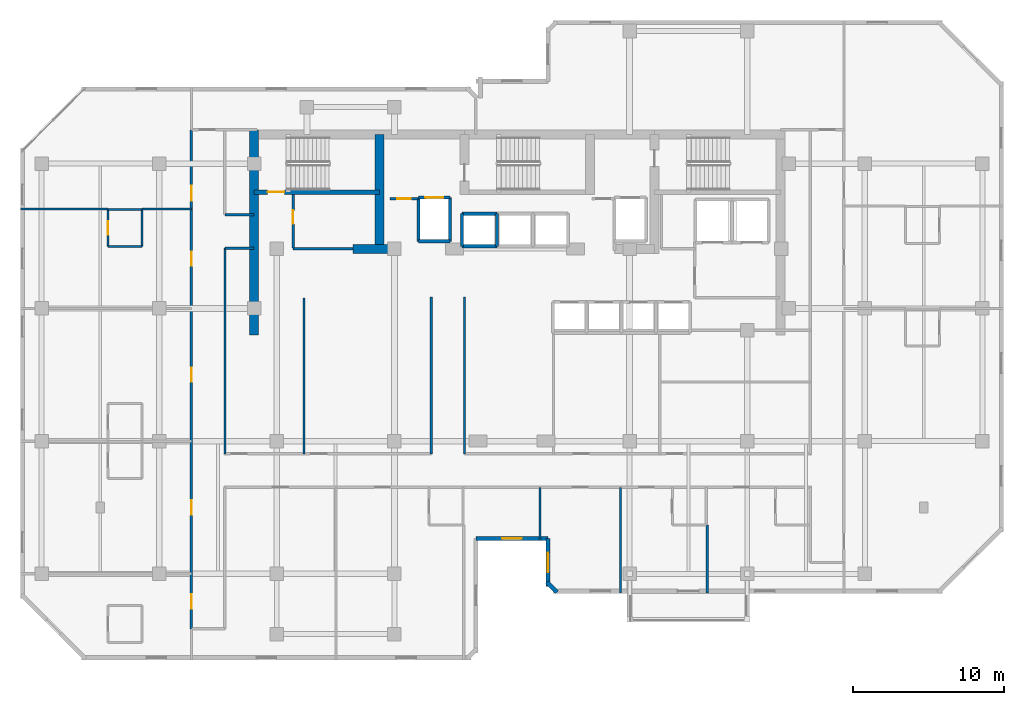
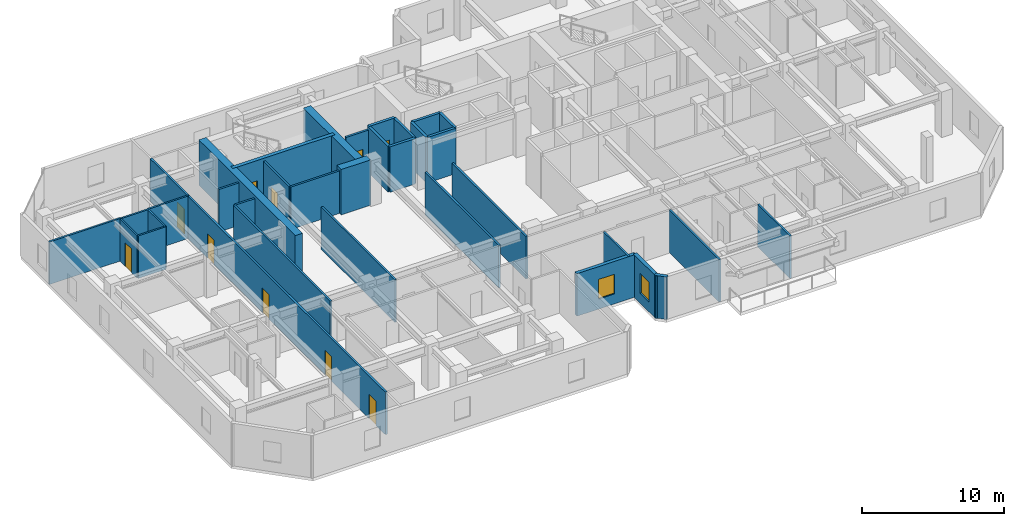
# One storey, part 5 of 11: 34 walls, 10 doors, 2 windows, 12 openings.
"""IFC4 building model written with IfcOpenShell, lengths in metres."""

from ifc_helpers import new_model, si_unit, direction, frame, frame_2d, origin, place, context, subcontext, project, spatial, rectangle, extrude, material, layer, layer_set, type_object, element, fill, save


model = new_model("IFC4")

# Units and contexts
model_context = context("Model", 3, precision=1e-05, world=origin(), true_north=direction((0.0, 1.0)))
body_context = subcontext(model_context, "Body", "Model", "MODEL_VIEW")
ifc_project = project(units=[si_unit("LENGTHUNIT", "METRE"), si_unit("AREAUNIT", "SQUARE_METRE"), si_unit("VOLUMEUNIT", "CUBIC_METRE"), si_unit("PLANEANGLEUNIT", "RADIAN"), si_unit("MASSUNIT", "GRAM", prefix="KILO")], contexts=[model_context])

# Site, building, storey
site_placement = place(None, origin())
site = spatial("IfcSite", under=ifc_project, at=site_placement, CompositionType="ELEMENT")
building_placement = place(site_placement, origin())
building = spatial("IfcBuilding", under=site, at=building_placement, Name="Kestravale Grand Hotel", CompositionType="ELEMENT")
storey_placement = place(building_placement, frame((0.0, 0.0, 192.89990234375)))
storey = spatial("IfcBuildingStorey", under=building, at=storey_placement, Name="L48", CompositionType="ELEMENT", Elevation=192.89990234375)

# Walls
ifc_material_1 = material(Name="Concrete f'c 50 MPa", Category="concrete")
ifc_layer_1 = layer(ifc_material_1, 0.60009765625)
ifc_layer_set_1 = layer_set([ifc_layer_1], Name="EW-CORE-600")
wall_type_1 = type_object("IfcWallType", Name="EW-CORE-600", PredefinedType="SHEAR", material=ifc_layer_set_1)
wall_1_placement = place(storey_placement, frame((21.89990234375, 27.050048828125, 0.0), z_axis=(0.0, 0.0, 1.0), x_axis=(0.0, 1.0, 0.0)))
element("IfcWall", 1, at=wall_1_placement, inside=storey, type_object=wall_type_1, Name="L48 core shear wall W1", PredefinedType="SHEAR", context=body_context, shape_type="SweptSolid", body=[
    extrude(rectangle(XDim=13.570068359375, YDim=0.60009765625, at=frame_2d((6.78515625, 0.0))), origin(), (0.0, 0.0, 1.0), 3.900146484375),
])
wall_2_placement = place(storey_placement, frame((28.449951171875, 32.75, 0.0), z_axis=(0.0, 0.0, 1.0), x_axis=(1.0, 0.0, 0.0)))
element("IfcWall", 2, at=wall_2_placement, inside=storey, type_object=wall_type_1, Name="L48 core shear wall S1", PredefinedType="SHEAR", context=body_context, shape_type="SweptSolid", body=[
    extrude(rectangle(XDim=2.400146484375, YDim=0.60009765625, at=frame_2d((1.2001953125, 0.0))), origin(), (0.0, 0.0, 1.0), 3.900146484375),
])
wall_3_placement = place(storey_placement, frame((30.219970703125, 33.050048828125, 0.0), z_axis=(0.0, 0.0, 1.0), x_axis=(0.0, 1.0, 0.0)))
element("IfcWall", 3, at=wall_3_placement, inside=storey, type_object=wall_type_1, Name="L48 core shear wall X1", PredefinedType="SHEAR", context=body_context, shape_type="SweptSolid", body=[
    extrude(rectangle(XDim=7.27001953125, YDim=0.60009765625, at=frame_2d((3.635009765625, 0.0))), origin(), (0.0, 0.0, 1.0), 3.900146484375),
])

# Wall, opening, window
ifc_material_2 = material(Name="Precast concrete f'c 45 MPa", Category="concrete")
ifc_layer_2 = layer(ifc_material_2, 0.280029296875)
ifc_layer_set_2 = layer_set([ifc_layer_2], Name="EW-PREC-280")
wall_type_2 = type_object("IfcWallType", Name="EW-PREC-280", PredefinedType="SOLIDWALL", material=ifc_layer_set_2)
wall_4_placement = place(storey_placement, frame((36.610107421875, 13.5400390625, 0.0), z_axis=(0.0, 0.0, 1.0), x_axis=(1.0, 0.0, 0.0)))
wall_4 = element("IfcWall", 4, at=wall_4_placement, inside=storey, type_object=wall_type_2, Name="L48 fluted precast facade wall 4", PredefinedType="SOLIDWALL", context=body_context, shape_type="SweptSolid", body=[
    extrude(rectangle(XDim=4.77978515625, YDim=0.280029296875, at=frame_2d((2.389892578125, 0.0))), origin(), (0.0, 0.0, 1.0), 3.650146484375),
])
opening_1_placement = place(wall_4_placement, frame((1.739990234375, 0.0, 0.85009765625)))
opening_1 = element("IfcOpeningElement", 5, at=opening_1_placement, cuts=wall_4, Name="Opening W-GUEST-1300", PredefinedType="OPENING", context=body_context, shape_type="SweptSolid", body=[
    extrude(rectangle(XDim=1.300048828125, YDim=1.699951171875, at=frame_2d((0.64990234375, 0.85009765625))), frame((0.0, 0.14990234375, 0.0), z_axis=(0.0, -1.0, 0.0), x_axis=(1.0, 0.0, 0.0)), (0.0, 0.0, 1.0), 0.300048828125),
])
ifc_material_3 = material(Name="Insulated low-E double glazing in aluminium frame", Category="aluminium")
window_type = type_object("IfcWindowType", Name="W-GUEST-1300", PartitioningType="SINGLE_PANEL", PredefinedType="WINDOW", material=ifc_material_3)
window_1_placement = place(opening_1_placement, origin())
window_1 = element("IfcWindow", 6, at=window_1_placement, inside=storey, type_object=window_type, Name="L48 exterior window 4.1", OverallHeight=1.699951171875, OverallWidth=1.300048828125, PartitioningType="SINGLE_PANEL", PredefinedType="WINDOW", context=body_context, shape_type="SweptSolid", body=[
    extrude(rectangle(XDim=1.300048828125, YDim=1.699951171875, at=frame_2d((0.64990234375, 0.85009765625))), frame((0.0, 0.030029296875, 0.0), z_axis=(0.0, -1.0, 0.0), x_axis=(1.0, 0.0, 0.0)), (0.0, 0.0, 1.0), 0.06005859375),
])
fill(opening_1, window_1)

wall_5_placement = place(storey_placement, frame((41.389892578125, 13.5400390625, 0.0), z_axis=(0.0, 0.0, 1.0), x_axis=(0.0, -1.0, 0.0)))
wall_5 = element("IfcWall", 7, at=wall_5_placement, inside=storey, type_object=wall_type_2, Name="L48 fluted precast facade wall 5", PredefinedType="SOLIDWALL", context=body_context, shape_type="SweptSolid", body=[
    extrude(rectangle(XDim=3.179931640625, YDim=0.280029296875, at=frame_2d((1.58984375, 0.0))), origin(), (0.0, 0.0, 1.0), 3.650146484375),
])
opening_2_placement = place(wall_5_placement, frame((0.93994140625, 0.0, 0.85009765625)))
opening_2 = element("IfcOpeningElement", 8, at=opening_2_placement, cuts=wall_5, Name="Opening W-GUEST-1300", PredefinedType="OPENING", context=body_context, shape_type="SweptSolid", body=[
    extrude(rectangle(XDim=1.300048828125, YDim=1.699951171875, at=frame_2d((0.64990234375, 0.85009765625))), frame((0.0, 0.14990234375, 0.0), z_axis=(0.0, -1.0, 0.0), x_axis=(1.0, 0.0, 0.0)), (0.0, 0.0, 1.0), 0.300048828125),
])
window_2_placement = place(opening_2_placement, origin())
window_2 = element("IfcWindow", 9, at=window_2_placement, inside=storey, type_object=window_type, Name="L48 exterior window 5.1", OverallHeight=1.699951171875, OverallWidth=1.300048828125, PartitioningType="SINGLE_PANEL", PredefinedType="WINDOW", context=body_context, shape_type="SweptSolid", body=[
    extrude(rectangle(XDim=1.300048828125, YDim=1.699951171875, at=frame_2d((0.64990234375, 0.85009765625))), frame((0.0, 0.030029296875, 0.0), z_axis=(0.0, -1.0, 0.0), x_axis=(1.0, 0.0, 0.0)), (0.0, 0.0, 1.0), 0.06005859375),
])
fill(opening_2, window_2)

# Wall
wall_6_placement = place(storey_placement, frame((41.32080078125, 10.627197265625, 0.0), z_axis=(0.0, 0.0, 1.0), x_axis=(0.707106781187, -0.707106781187, 0.0)))
element("IfcWall", 10, at=wall_6_placement, inside=storey, type_object=wall_type_2, Name="L48 fluted precast facade wall 6", PredefinedType="SOLIDWALL", context=body_context, shape_type="SweptSolid", body=[
    extrude(rectangle(XDim=0.928466796875, YDim=0.280029296875, at=frame_2d((0.46435546875, 0.0))), origin(), (0.0, 0.0, 1.0), 3.650146484375),
])

# Wall, opening, door
ifc_material_4 = material(Name="Concrete f'c 45 MPa", Category="concrete")
ifc_layer_3 = layer(ifc_material_4, 0.300048828125)
ifc_layer_set_3 = layer_set([ifc_layer_3], Name="EW-STAIR-300")
wall_type_3 = type_object("IfcWallType", Name="EW-STAIR-300", PredefinedType="SHEAR", material=ifc_layer_set_3)
wall_7_placement = place(storey_placement, frame((21.89990234375, 36.52001953125, 0.0), z_axis=(0.0, 0.0, 1.0), x_axis=(1.0, 0.0, 0.0)))
wall_7 = element("IfcWall", 11, at=wall_7_placement, inside=storey, type_object=wall_type_3, Name="L48 stair enclosure shear wall SST1", PredefinedType="SHEAR", context=body_context, shape_type="SweptSolid", body=[
    extrude(rectangle(XDim=8.320068359375, YDim=0.300048828125, at=frame_2d((4.16015625, 0.0))), origin(), (0.0, 0.0, 1.0), 3.900146484375),
])
opening_3_placement = place(wall_7_placement, frame((0.89990234375, 0.0, 0.0)))
opening_3 = element("IfcOpeningElement", 12, at=opening_3_placement, cuts=wall_7, Name="Opening D-ST-1100", PredefinedType="OPENING", context=body_context, shape_type="SweptSolid", body=[
    extrude(rectangle(XDim=1.10009765625, YDim=2.14990234375, at=frame_2d((0.550048828125, 1.074951171875))), frame((0.0, 0.159912109375, 0.0), z_axis=(0.0, -1.0, 0.0), x_axis=(1.0, 0.0, 0.0)), (0.0, 0.0, 1.0), 0.320068359375),
])
ifc_material_5 = material(Name="Galvanised 90-minute fire-rated steel stair door", Category="steel")
door_type_1 = type_object("IfcDoorType", Name="D-ST-1100", OperationType="NOTDEFINED", PredefinedType="DOOR", material=ifc_material_5)
door_1_placement = place(opening_3_placement, origin())
door_1 = element("IfcDoor", 13, at=door_1_placement, inside=storey, type_object=door_type_1, Name="L48 Stair ST-1 fire door", OperationType="SINGLE_SWING_RIGHT", OverallHeight=2.14990234375, OverallWidth=1.10009765625, PredefinedType="DOOR", context=body_context, shape_type="SweptSolid", body=[
    extrude(rectangle(XDim=1.10009765625, YDim=2.14990234375, at=frame_2d((0.550048828125, 1.074951171875))), frame((0.0, 0.02490234375, 0.0), z_axis=(0.0, -1.0, 0.0), x_axis=(1.0, 0.0, 0.0)), (0.0, 0.0, 1.0), 0.050048828125),
])
fill(opening_3, door_1)

ifc_material_6 = material(Name="Acoustic fire-rated gypsum board partition", Category="other")
ifc_layer_4 = layer(ifc_material_6, 0.159912109375)
ifc_layer_set_4 = layer_set([ifc_layer_4], Name="IW-CORR-160")
wall_type_4 = type_object("IfcWallType", Name="IW-CORR-160", PredefinedType="PARTITIONING", material=ifc_layer_set_4)
wall_8_placement = place(storey_placement, frame((24.47998046875, 32.800048828125, 0.0), z_axis=(0.0, 0.0, 1.0), x_axis=(0.0, 1.0, 0.0)))
wall_8 = element("IfcWall", 14, at=wall_8_placement, inside=storey, type_object=wall_type_4, Name="L48 west core vestibule wall", PredefinedType="PARTITIONING", context=body_context, shape_type="SweptSolid", body=[
    extrude(rectangle(XDim=3.570068359375, YDim=0.159912109375, at=frame_2d((1.78515625, 0.0))), origin(), (0.0, 0.0, 1.0), 3.650146484375),
])
opening_4_placement = place(wall_8_placement, frame((1.603515625, 0.0, 0.0)))
opening_4 = element("IfcOpeningElement", 15, at=opening_4_placement, cuts=wall_8, Name="Opening D-SH-900", PredefinedType="OPENING", context=body_context, shape_type="SweptSolid", body=[
    extrude(rectangle(XDim=0.89990234375, YDim=2.10009765625, at=frame_2d((0.449951171875, 1.050048828125))), frame((0.0, 0.08984375, 0.0), z_axis=(0.0, -1.0, 0.0), x_axis=(1.0, 0.0, 0.0)), (0.0, 0.0, 1.0), 0.179931640625),
])
ifc_material_7 = material(Name="Galvanised 90-minute shaft and service fire door", Category="steel")
door_type_2 = type_object("IfcDoorType", Name="D-SH-900", OperationType="NOTDEFINED", PredefinedType="DOOR", material=ifc_material_7)
door_2_placement = place(opening_4_placement, origin())
door_2 = element("IfcDoor", 16, at=door_2_placement, inside=storey, type_object=door_type_2, Name="D-L48-HK", OperationType="SINGLE_SWING_RIGHT", OverallHeight=2.10009765625, OverallWidth=0.89990234375, PredefinedType="DOOR", context=body_context, shape_type="SweptSolid", body=[
    extrude(rectangle(XDim=0.89990234375, YDim=2.10009765625, at=frame_2d((0.449951171875, 1.050048828125))), frame((0.0, 0.02490234375, 0.0), z_axis=(0.0, -1.0, 0.0), x_axis=(1.0, 0.0, 0.0)), (0.0, 0.0, 1.0), 0.050048828125),
])
fill(opening_4, door_2)

# Walls
wall_9_placement = place(storey_placement, frame((24.47998046875, 32.75, 0.0), z_axis=(0.0, 0.0, 1.0), x_axis=(1.0, 0.0, 0.0)))
element("IfcWall", 17, at=wall_9_placement, inside=storey, type_object=wall_type_4, Name="W-L48-CWS", PredefinedType="PARTITIONING", context=body_context, shape_type="SweptSolid", body=[
    extrude(rectangle(XDim=3.969970703125, YDim=0.159912109375, at=frame_2d((1.98486328125, 0.0))), origin(), (0.0, 0.0, 1.0), 3.650146484375),
])
for number, where, z_axis, x_axis, name in (
    (18, (33.64990234375, 19.159912109375, 0.0), (0.0, 0.0, 1.0), (0.0, 1.0, 0.0), "W-L48-TRUNK-W"),
    (19, (35.85009765625, 19.159912109375, 0.0), (0.0, 0.0, 1.0), (0.0, 1.0, 0.0), "W-L48-TRUNK-E"),
):
    element("IfcWall", number, at=place(storey_placement, frame(where, z_axis=z_axis, x_axis=x_axis)), inside=storey, type_object=wall_type_4, Name=name, PredefinedType="PARTITIONING", context=body_context, shape_type="SweptSolid", body=[
        extrude(rectangle(XDim=10.39013671875, YDim=0.159912109375, at=frame_2d((5.195068359375, 0.0))), origin(), (0.0, 0.0, 1.0), 3.650146484375),
    ])

# Wall, openings, doors
wall_10_placement = place(storey_placement, frame((17.739990234375, 7.550048828125, 0.0), z_axis=(0.0, 0.0, 1.0), x_axis=(0.0, 1.0, 0.0)))
wall_10 = element("IfcWall", 20, at=wall_10_placement, inside=storey, type_object=wall_type_4, Name="W-L48-SW-W", PredefinedType="PARTITIONING", context=body_context, shape_type="SweptSolid", body=[
    extrude(rectangle(XDim=33.099853515625, YDim=0.159912109375, at=frame_2d((16.5498046875, 0.0))), origin(), (0.0, 0.0, 1.0), 3.650146484375),
])
opening_5_placement = place(wall_10_placement, frame((1.35009765625, 0.0, 0.0)))
opening_5 = element("IfcOpeningElement", 21, at=opening_5_placement, cuts=wall_10, Name="Opening D-GUEST-950", PredefinedType="OPENING", context=body_context, shape_type="SweptSolid", body=[
    extrude(rectangle(XDim=0.949951171875, YDim=2.10009765625, at=frame_2d((0.47509765625, 1.050048828125))), frame((0.0, 0.08984375, 0.0), z_axis=(0.0, -1.0, 0.0), x_axis=(1.0, 0.0, 0.0)), (0.0, 0.0, 1.0), 0.179931640625),
])
opening_6_placement = place(wall_10_placement, frame((7.574951171875, 0.0, 0.0)))
opening_6 = element("IfcOpeningElement", 22, at=opening_6_placement, cuts=wall_10, Name="Opening D-GUEST-950", PredefinedType="OPENING", context=body_context, shape_type="SweptSolid", body=[
    extrude(rectangle(XDim=0.949951171875, YDim=2.10009765625, at=frame_2d((0.47509765625, 1.050048828125))), frame((0.0, 0.08984375, 0.0), z_axis=(0.0, -1.0, 0.0), x_axis=(1.0, 0.0, 0.0)), (0.0, 0.0, 1.0), 0.179931640625),
])
opening_7_placement = place(wall_10_placement, frame((16.375, 0.0, 0.0)))
opening_7 = element("IfcOpeningElement", 23, at=opening_7_placement, cuts=wall_10, Name="Opening D-GUEST-950", PredefinedType="OPENING", context=body_context, shape_type="SweptSolid", body=[
    extrude(rectangle(XDim=0.949951171875, YDim=2.10009765625, at=frame_2d((0.47509765625, 1.050048828125))), frame((0.0, 0.08984375, 0.0), z_axis=(0.0, -1.0, 0.0), x_axis=(1.0, 0.0, 0.0)), (0.0, 0.0, 1.0), 0.179931640625),
])
opening_8_placement = place(wall_10_placement, frame((24.074951171875, 0.0, 0.0)))
opening_8 = element("IfcOpeningElement", 24, at=opening_8_placement, cuts=wall_10, Name="Opening D-GUEST-950", PredefinedType="OPENING", context=body_context, shape_type="SweptSolid", body=[
    extrude(rectangle(XDim=0.949951171875, YDim=2.10009765625, at=frame_2d((0.47509765625, 1.050048828125))), frame((0.0, 0.08984375, 0.0), z_axis=(0.0, -1.0, 0.0), x_axis=(1.0, 0.0, 0.0)), (0.0, 0.0, 1.0), 0.179931640625),
])
opening_9_placement = place(wall_10_placement, frame((28.39990234375, 0.0, 0.0)))
opening_9 = element("IfcOpeningElement", 25, at=opening_9_placement, cuts=wall_10, Name="Opening D-GUEST-1000", PredefinedType="OPENING", context=body_context, shape_type="SweptSolid", body=[
    extrude(rectangle(XDim=1.0, YDim=2.14990234375, at=frame_2d((0.5, 1.074951171875))), frame((0.0, 0.08984375, 0.0), z_axis=(0.0, -1.0, 0.0), x_axis=(1.0, 0.0, 0.0)), (0.0, 0.0, 1.0), 0.179931640625),
])
ifc_material_8 = material(Name="Accessible walnut veneer hotel entrance fire door", Category="wood")
door_type_3 = type_object("IfcDoorType", Name="D-GUEST-1000", OperationType="NOTDEFINED", PredefinedType="DOOR", material=ifc_material_8)
door_3_placement = place(opening_9_placement, origin())
door_3 = element("IfcDoor", 26, at=door_3_placement, inside=storey, type_object=door_type_3, Name="D-L48-AMWW", OperationType="SINGLE_SWING_RIGHT", OverallHeight=2.14990234375, OverallWidth=1.0, PredefinedType="DOOR", context=body_context, shape_type="SweptSolid", body=[
    extrude(rectangle(XDim=1.0, YDim=2.14990234375, at=frame_2d((0.5, 1.074951171875))), frame((0.0, 0.02490234375, 0.0), z_axis=(0.0, -1.0, 0.0), x_axis=(1.0, 0.0, 0.0)), (0.0, 0.0, 1.0), 0.050048828125),
])
fill(opening_9, door_3)
ifc_material_9 = material(Name="Walnut veneer hotel guestroom entrance fire door", Category="wood")
door_type_4 = type_object("IfcDoorType", Name="D-GUEST-950", OperationType="NOTDEFINED", PredefinedType="DOOR", material=ifc_material_9)
door_4_placement = place(opening_5_placement, origin())
door_4 = element("IfcDoor", 27, at=door_4_placement, inside=storey, type_object=door_type_4, Name="D-L48-U04-ENT", OperationType="SINGLE_SWING_LEFT", OverallHeight=2.10009765625, OverallWidth=0.949951171875, PredefinedType="DOOR", context=body_context, shape_type="SweptSolid", body=[
    extrude(rectangle(XDim=0.949951171875, YDim=2.10009765625, at=frame_2d((0.47509765625, 1.050048828125))), frame((0.0, 0.02490234375, 0.0), z_axis=(0.0, -1.0, 0.0), x_axis=(1.0, 0.0, 0.0)), (0.0, 0.0, 1.0), 0.050048828125),
])
fill(opening_5, door_4)
door_5_placement = place(opening_6_placement, origin())
door_5 = element("IfcDoor", 28, at=door_5_placement, inside=storey, type_object=door_type_4, Name="D-L48-U05-ENT", OperationType="SINGLE_SWING_LEFT", OverallHeight=2.10009765625, OverallWidth=0.949951171875, PredefinedType="DOOR", context=body_context, shape_type="SweptSolid", body=[
    extrude(rectangle(XDim=0.949951171875, YDim=2.10009765625, at=frame_2d((0.47509765625, 1.050048828125))), frame((0.0, 0.02490234375, 0.0), z_axis=(0.0, -1.0, 0.0), x_axis=(1.0, 0.0, 0.0)), (0.0, 0.0, 1.0), 0.050048828125),
])
fill(opening_6, door_5)
door_6_placement = place(opening_7_placement, origin())
door_6 = element("IfcDoor", 29, at=door_6_placement, inside=storey, type_object=door_type_4, Name="D-L48-U06-ENT", OperationType="SINGLE_SWING_LEFT", OverallHeight=2.10009765625, OverallWidth=0.949951171875, PredefinedType="DOOR", context=body_context, shape_type="SweptSolid", body=[
    extrude(rectangle(XDim=0.949951171875, YDim=2.10009765625, at=frame_2d((0.47509765625, 1.050048828125))), frame((0.0, 0.02490234375, 0.0), z_axis=(0.0, -1.0, 0.0), x_axis=(1.0, 0.0, 0.0)), (0.0, 0.0, 1.0), 0.050048828125),
])
fill(opening_7, door_6)
door_7_placement = place(opening_8_placement, origin())
door_7 = element("IfcDoor", 30, at=door_7_placement, inside=storey, type_object=door_type_4, Name="D-L48-U07-ENT", OperationType="SINGLE_SWING_LEFT", OverallHeight=2.10009765625, OverallWidth=0.949951171875, PredefinedType="DOOR", context=body_context, shape_type="SweptSolid", body=[
    extrude(rectangle(XDim=0.949951171875, YDim=2.10009765625, at=frame_2d((0.47509765625, 1.050048828125))), frame((0.0, 0.02490234375, 0.0), z_axis=(0.0, -1.0, 0.0), x_axis=(1.0, 0.0, 0.0)), (0.0, 0.0, 1.0), 0.050048828125),
])
fill(opening_8, door_7)

# Walls
for number, where, z_axis, x_axis, name in (
    (31, (19.9599609375, 35.02001953125, 0.0), (0.0, 0.0, 1.0), (1.0, 0.0, 0.0), "W-L48-SW-CN"),
    (32, (19.9599609375, 32.780029296875, 0.0), (0.0, 0.0, 1.0), (1.0, 0.0, 0.0), "W-L48-SW-CS"),
):
    element("IfcWall", number, at=place(storey_placement, frame(where, z_axis=z_axis, x_axis=x_axis)), inside=storey, type_object=wall_type_4, Name=name, PredefinedType="PARTITIONING", context=body_context, shape_type="SweptSolid", body=[
        extrude(rectangle(XDim=1.93994140625, YDim=0.159912109375, at=frame_2d((0.969970703125, 0.0))), origin(), (0.0, 0.0, 1.0), 3.650146484375),
    ])

# Wall, opening, door
ifc_material_10 = material(Name="Fire-rated gypsum board on steel studs with mineral wool", Category="steel")
ifc_layer_5 = layer(ifc_material_10, 0.179931640625)
ifc_layer_set_5 = layer_set([ifc_layer_5], Name="IW-FSAE-180")
wall_type_5 = type_object("IfcWallType", Name="IW-FSAE-180", PredefinedType="PARTITIONING", material=ifc_layer_set_5)
wall_11_placement = place(storey_placement, frame((30.89990234375, 36.080078125, 0.0), z_axis=(0.0, 0.0, 1.0), x_axis=(1.0, 0.0, 0.0)))
wall_11 = element("IfcWall", 33, at=wall_11_placement, inside=storey, type_object=wall_type_5, Name="L48 FSAE Lobby 1 smoke barrier", PredefinedType="PARTITIONING", context=body_context, shape_type="SweptSolid", body=[
    extrude(rectangle(XDim=1.85009765625, YDim=0.179931640625, at=frame_2d((0.925048828125, 0.0))), origin(), (0.0, 0.0, 1.0), 3.650146484375),
])
opening_10_placement = place(wall_11_placement, frame((0.47998046875, 0.0, 0.0)))
opening_10 = element("IfcOpeningElement", 34, at=opening_10_placement, cuts=wall_11, Name="Opening D-FSAE-1000", PredefinedType="OPENING", context=body_context, shape_type="SweptSolid", body=[
    extrude(rectangle(XDim=0.89990234375, YDim=2.14990234375, at=frame_2d((0.449951171875, 1.074951171875))), frame((0.0, 0.099853515625, 0.0), z_axis=(0.0, -1.0, 0.0), x_axis=(1.0, 0.0, 0.0)), (0.0, 0.0, 1.0), 0.199951171875),
])
ifc_material_11 = material(Name="Smoke-gasketed FSAE lobby fire door", Category="steel")
door_type_5 = type_object("IfcDoorType", Name="D-FSAE-1000", OperationType="NOTDEFINED", PredefinedType="DOOR", material=ifc_material_11)
door_8_placement = place(opening_10_placement, origin())
door_8 = element("IfcDoor", 35, at=door_8_placement, inside=storey, type_object=door_type_5, Name="L48 FSAE Lobby 1 fire door", OperationType="SINGLE_SWING_RIGHT", OverallHeight=2.14990234375, OverallWidth=0.89990234375, PredefinedType="DOOR", context=body_context, shape_type="SweptSolid", body=[
    extrude(rectangle(XDim=0.89990234375, YDim=2.14990234375, at=frame_2d((0.449951171875, 1.074951171875))), frame((0.0, 0.02490234375, 0.0), z_axis=(0.0, -1.0, 0.0), x_axis=(1.0, 0.0, 0.0)), (0.0, 0.0, 1.0), 0.050048828125),
])
fill(opening_10, door_8)

ifc_material_12 = material(Name="Moisture-resistant tile-backer plumbing chase wall", Category="other")
ifc_layer_6 = layer(ifc_material_12, 0.139892578125)
ifc_layer_set_6 = layer_set([ifc_layer_6], Name="IW-PLB-140")
wall_type_6 = type_object("IfcWallType", Name="IW-PLB-140", PredefinedType="PLUMBINGWALL", material=ifc_layer_set_6)
wall_12_placement = place(storey_placement, frame((12.199951171875, 32.909912109375, 0.0), z_axis=(0.0, 0.0, 1.0), x_axis=(0.0, 1.0, 0.0)))
wall_12 = element("IfcWall", 36, at=wall_12_placement, inside=storey, type_object=wall_type_6, Name="W-L48-U07-BW", PredefinedType="PLUMBINGWALL", context=body_context, shape_type="SweptSolid", body=[
    extrude(rectangle(XDim=2.4501953125, YDim=0.139892578125, at=frame_2d((1.22509765625, 0.0))), origin(), (0.0, 0.0, 1.0), 3.650146484375),
])
opening_11_placement = place(wall_12_placement, frame((0.784912109375, 0.0, 0.0)))
opening_11 = element("IfcOpeningElement", 37, at=opening_11_placement, cuts=wall_12, Name="Opening D-BATH-880", PredefinedType="OPENING", context=body_context, shape_type="SweptSolid", body=[
    extrude(rectangle(XDim=0.8798828125, YDim=2.050048828125, at=frame_2d((0.43994140625, 1.02490234375))), frame((0.0, 0.079833984375, 0.0), z_axis=(0.0, -1.0, 0.0), x_axis=(1.0, 0.0, 0.0)), (0.0, 0.0, 1.0), 0.159912109375),
])
ifc_material_13 = material(Name="Moisture-sealed walnut en-suite bathroom door", Category="wood")
door_type_6 = type_object("IfcDoorType", Name="D-BATH-880", OperationType="NOTDEFINED", PredefinedType="DOOR", material=ifc_material_13)
door_9_placement = place(opening_11_placement, origin())
door_9 = element("IfcDoor", 38, at=door_9_placement, inside=storey, type_object=door_type_6, Name="D-L48-U07-BATH", OperationType="SINGLE_SWING_RIGHT", OverallHeight=2.050048828125, OverallWidth=0.8798828125, PredefinedType="DOOR", context=body_context, shape_type="SweptSolid", body=[
    extrude(rectangle(XDim=0.8798828125, YDim=2.050048828125, at=frame_2d((0.43994140625, 1.02490234375))), frame((0.0, 0.02490234375, 0.0), z_axis=(0.0, -1.0, 0.0), x_axis=(1.0, 0.0, 0.0)), (0.0, 0.0, 1.0), 0.050048828125),
])
fill(opening_11, door_9)

# Walls
wall_13_placement = place(storey_placement, frame((14.449951171875, 32.909912109375, 0.0), z_axis=(0.0, 0.0, 1.0), x_axis=(0.0, 1.0, 0.0)))
element("IfcWall", 39, at=wall_13_placement, inside=storey, type_object=wall_type_6, Name="W-L48-U07-BE", PredefinedType="PLUMBINGWALL", context=body_context, shape_type="SweptSolid", body=[
    extrude(rectangle(XDim=2.4501953125, YDim=0.139892578125, at=frame_2d((1.22509765625, 0.0))), origin(), (0.0, 0.0, 1.0), 3.650146484375),
])
for number, where, z_axis, x_axis, name in (
    (40, (12.199951171875, 32.909912109375, 0.0), (0.0, 0.0, 1.0), (1.0, 0.0, 0.0), "W-L48-U07-BS"),
    (41, (12.199951171875, 35.360107421875, 0.0), (0.0, 0.0, 1.0), (1.0, 0.0, 0.0), "W-L48-U07-BN"),
):
    element("IfcWall", number, at=place(storey_placement, frame(where, z_axis=z_axis, x_axis=x_axis)), inside=storey, type_object=wall_type_6, Name=name, PredefinedType="PLUMBINGWALL", context=body_context, shape_type="SweptSolid", body=[
        extrude(rectangle(XDim=2.25, YDim=0.139892578125, at=frame_2d((1.125, 0.0))), origin(), (0.0, 0.0, 1.0), 3.650146484375),
    ])
ifc_material_14 = material(Name="Concrete f'c 45 MPa", Category="concrete")
ifc_layer_7 = layer(ifc_material_14, 0.199951171875)
ifc_layer_set_7 = layer_set([ifc_layer_7], Name="IW-SHAFT-200")
wall_type_7 = type_object("IfcWallType", Name="IW-SHAFT-200", PredefinedType="SHEAR", material=ifc_layer_set_7)
for number, where, z_axis, x_axis, name in (
    (42, (35.679931640625, 32.919921875, 0.0), (0.0, 0.0, 1.0), (0.0, 1.0, 0.0), "L48 PL-X1 west shaft wall"),
    (43, (38.0, 32.919921875, 0.0), (0.0, 0.0, 1.0), (0.0, 1.0, 0.0), "L48 PL-X2 west shaft wall"),
):
    element("IfcWall", number, at=place(storey_placement, frame(where, z_axis=z_axis, x_axis=x_axis)), inside=storey, type_object=wall_type_7, Name=name, PredefinedType="SHEAR", context=body_context, shape_type="SweptSolid", body=[
        extrude(rectangle(XDim=2.16015625, YDim=0.199951171875, at=frame_2d((1.080078125, 0.0))), origin(), (0.0, 0.0, 1.0), 3.900146484375),
    ])
for number, where, z_axis, x_axis, name in (
    (44, (32.804931640625, 33.2451171875, 0.0), (0.0, 0.0, 1.0), (0.0, 1.0, 0.0), "L48 FL-1 west shaft wall"),
    (45, (34.89501953125, 33.2451171875, 0.0), (0.0, 0.0, 1.0), (0.0, 1.0, 0.0), "L48 FL-1 east shaft wall"),
):
    element("IfcWall", number, at=place(storey_placement, frame(where, z_axis=z_axis, x_axis=x_axis)), inside=storey, type_object=wall_type_7, Name=name, PredefinedType="SHEAR", context=body_context, shape_type="SweptSolid", body=[
        extrude(rectangle(XDim=2.909912109375, YDim=0.199951171875, at=frame_2d((1.455078125, 0.0))), origin(), (0.0, 0.0, 1.0), 3.900146484375),
    ])
ifc_material_15 = material(Name="Concrete f'c 45 MPa", Category="concrete")
ifc_layer_8 = layer(ifc_material_15, 0.219970703125)
ifc_layer_set_8 = layer_set([ifc_layer_8], Name="IW-SHAFT-220")
wall_type_8 = type_object("IfcWallType", Name="IW-SHAFT-220", PredefinedType="SHEAR", material=ifc_layer_set_8)
for number, where, z_axis, x_axis, name in (
    (46, (35.679931640625, 35.080078125, 0.0), (0.0, 0.0, 1.0), (1.0, 0.0, 0.0), "L48 PL-X1 north shaft wall"),
    (47, (35.679931640625, 32.919921875, 0.0), (0.0, 0.0, 1.0), (1.0, 0.0, 0.0), "L48 PL-X1 south shaft wall"),
):
    element("IfcWall", number, at=place(storey_placement, frame(where, z_axis=z_axis, x_axis=x_axis)), inside=storey, type_object=wall_type_8, Name=name, PredefinedType="SHEAR", context=body_context, shape_type="SweptSolid", body=[
        extrude(rectangle(XDim=2.320068359375, YDim=0.219970703125, at=frame_2d((1.16015625, 0.0))), origin(), (0.0, 0.0, 1.0), 3.900146484375),
    ])

# Wall, opening, door
wall_14_placement = place(storey_placement, frame((32.804931640625, 36.155029296875, 0.0), z_axis=(0.0, 0.0, 1.0), x_axis=(1.0, 0.0, 0.0)))
wall_14 = element("IfcWall", 48, at=wall_14_placement, inside=storey, type_object=wall_type_8, Name="L48 FL-1 north shaft wall", PredefinedType="SHEAR", context=body_context, shape_type="SweptSolid", body=[
    extrude(rectangle(XDim=2.090087890625, YDim=0.219970703125, at=frame_2d((1.044921875, 0.0))), origin(), (0.0, 0.0, 1.0), 3.900146484375),
])
opening_12_placement = place(wall_14_placement, frame((0.445068359375, 0.0, 0.0)))
opening_12 = element("IfcOpeningElement", 49, at=opening_12_placement, cuts=wall_14, Name="Opening LD-FSAE-1200", PredefinedType="OPENING", context=body_context, shape_type="SweptSolid", body=[
    extrude(rectangle(XDim=1.199951171875, YDim=2.14990234375, at=frame_2d((0.60009765625, 1.074951171875))), frame((0.0, 0.119873046875, 0.0), z_axis=(0.0, -1.0, 0.0), x_axis=(1.0, 0.0, 0.0)), (0.0, 0.0, 1.0), 0.239990234375),
])
ifc_material_16 = material(Name="Stainless fire-service sliding elevator landing door", Category="steel")
door_type_7 = type_object("IfcDoorType", Name="LD-FSAE-1200", OperationType="NOTDEFINED", PredefinedType="DOOR", material=ifc_material_16)
door_10_placement = place(opening_12_placement, origin())
door_10 = element("IfcDoor", 50, at=door_10_placement, inside=storey, type_object=door_type_7, Name="L48 FL-1 elevator landing sliding door", OperationType="DOUBLE_DOOR_SLIDING", OverallHeight=2.14990234375, OverallWidth=1.199951171875, PredefinedType="DOOR", context=body_context, shape_type="SweptSolid", body=[
    extrude(rectangle(XDim=1.199951171875, YDim=2.14990234375, at=frame_2d((0.60009765625, 1.074951171875))), frame((0.0, 0.02490234375, 0.0), z_axis=(0.0, -1.0, 0.0), x_axis=(1.0, 0.0, 0.0)), (0.0, 0.0, 1.0), 0.050048828125),
])
fill(opening_12, door_10)

# Walls
wall_15_placement = place(storey_placement, frame((32.804931640625, 33.2451171875, 0.0), z_axis=(0.0, 0.0, 1.0), x_axis=(1.0, 0.0, 0.0)))
element("IfcWall", 51, at=wall_15_placement, inside=storey, type_object=wall_type_8, Name="L48 FL-1 south shaft wall", PredefinedType="SHEAR", context=body_context, shape_type="SweptSolid", body=[
    extrude(rectangle(XDim=2.090087890625, YDim=0.219970703125, at=frame_2d((1.044921875, 0.0))), origin(), (0.0, 0.0, 1.0), 3.900146484375),
])
ifc_material_17 = material(Name="Double-stud STC 52 acoustic demising partition", Category="other")
ifc_layer_9 = layer(ifc_material_17, 0.14990234375)
ifc_layer_set_9 = layer_set([ifc_layer_9], Name="IW-UNIT-150")
wall_type_9 = type_object("IfcWallType", Name="IW-UNIT-150", PredefinedType="PARTITIONING", material=ifc_layer_set_9)
wall_16_placement = place(storey_placement, frame((19.9599609375, 19.159912109375, 0.0), z_axis=(0.0, 0.0, 1.0), x_axis=(0.0, 1.0, 0.0)))
element("IfcWall", 52, at=wall_16_placement, inside=storey, type_object=wall_type_9, Name="W-L48-RCLW-W", PredefinedType="PARTITIONING", context=body_context, shape_type="SweptSolid", body=[
    extrude(rectangle(XDim=13.64013671875, YDim=0.14990234375, at=frame_2d((6.820068359375, 0.0))), origin(), (0.0, 0.0, 1.0), 3.650146484375),
])
wall_17_placement = place(storey_placement, frame((25.199951171875, 19.159912109375, 0.0), z_axis=(0.0, 0.0, 1.0), x_axis=(0.0, 1.0, 0.0)))
element("IfcWall", 53, at=wall_17_placement, inside=storey, type_object=wall_type_9, Name="W-L48-RCLW-M", PredefinedType="PARTITIONING", context=body_context, shape_type="SweptSolid", body=[
    extrude(rectangle(XDim=10.340087890625, YDim=0.14990234375, at=frame_2d((5.169921875, 0.0))), origin(), (0.0, 0.0, 1.0), 3.650146484375),
])
wall_18_placement = place(storey_placement, frame((40.85009765625, 13.419921875, 0.0), z_axis=(0.0, 0.0, 1.0), x_axis=(0.0, 1.0, 0.0)))
element("IfcWall", 54, at=wall_18_placement, inside=storey, type_object=wall_type_9, Name="W-L48-ES-1", PredefinedType="PARTITIONING", context=body_context, shape_type="SweptSolid", body=[
    extrude(rectangle(XDim=3.52001953125, YDim=0.14990234375, at=frame_2d((1.760009765625, 0.0))), origin(), (0.0, 0.0, 1.0), 3.650146484375),
])
wall_19_placement = place(storey_placement, frame((46.195068359375, 9.919921875, 0.0), z_axis=(0.0, 0.0, 1.0), x_axis=(0.0, 1.0, 0.0)))
element("IfcWall", 55, at=wall_19_placement, inside=storey, type_object=wall_type_9, Name="W-L48-ES-2", PredefinedType="PARTITIONING", context=body_context, shape_type="SweptSolid", body=[
    extrude(rectangle(XDim=7.02001953125, YDim=0.14990234375, at=frame_2d((3.510009765625, 0.0))), origin(), (0.0, 0.0, 1.0), 3.650146484375),
])
wall_20_placement = place(storey_placement, frame((51.9423828125, 9.919921875, 0.0), z_axis=(0.0, 0.0, 1.0), x_axis=(0.0, 1.0, 0.0)))
element("IfcWall", 56, at=wall_20_placement, inside=storey, type_object=wall_type_9, Name="W-L48-ES-3", PredefinedType="PARTITIONING", context=body_context, shape_type="SweptSolid", body=[
    extrude(rectangle(XDim=4.510009765625, YDim=0.14990234375, at=frame_2d((2.2548828125, 0.0))), origin(), (0.0, 0.0, 1.0), 3.650146484375),
])
wall_21_placement = place(storey_placement, frame((6.419921875, 35.39990234375, 0.0), z_axis=(0.0, 0.0, 1.0), x_axis=(1.0, 0.0, 0.0)))
element("IfcWall", 57, at=wall_21_placement, inside=storey, type_object=wall_type_9, Name="W-L48-WW-4", PredefinedType="PARTITIONING", context=body_context, shape_type="SweptSolid", body=[
    extrude(rectangle(XDim=5.780029296875, YDim=0.14990234375, at=frame_2d((2.89013671875, 0.0))), origin(), (0.0, 0.0, 1.0), 3.650146484375),
])
wall_22_placement = place(storey_placement, frame((14.449951171875, 35.39990234375, 0.0), z_axis=(0.0, 0.0, 1.0), x_axis=(1.0, 0.0, 0.0)))
element("IfcWall", 58, at=wall_22_placement, inside=storey, type_object=wall_type_9, Name="W-L48-WW-4", PredefinedType="PARTITIONING", context=body_context, shape_type="SweptSolid", body=[
    extrude(rectangle(XDim=3.2900390625, YDim=0.14990234375, at=frame_2d((1.64501953125, 0.0))), origin(), (0.0, 0.0, 1.0), 3.650146484375),
])

save(model, "model.ifc")
